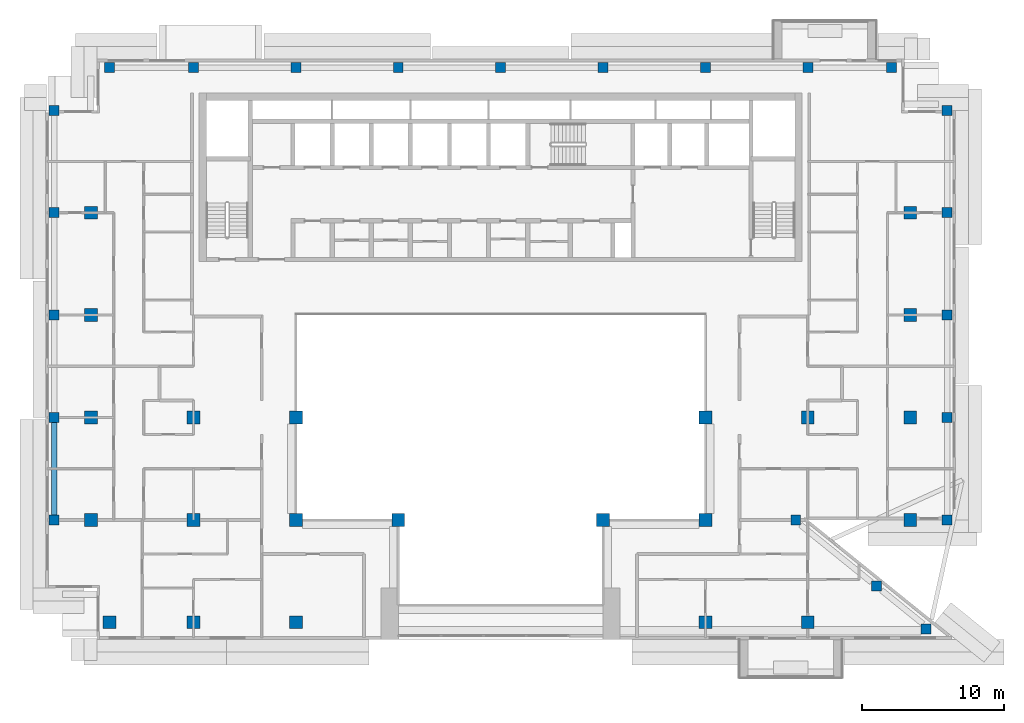
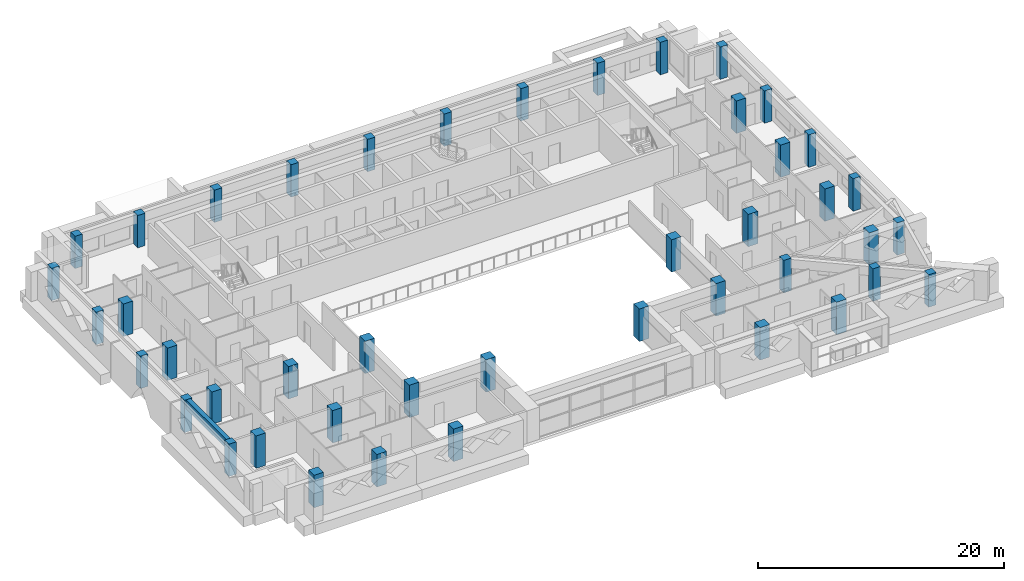
# One storey, part 1 of 19: 44 columns, 1 beam.
"""IFC4 building model written with IfcOpenShell, lengths in metres."""

from ifc_helpers import new_model, si_unit, direction, frame, origin, origin_2d, place, context, subcontext, project, spatial, rectangle, extrude, source, transform, mapped, material, material_profile, profile_set, type_object, element, save


model = new_model("IFC4")

# Units and contexts
model_context = context("Model", 3, precision=1e-05, world=origin(), true_north=direction((0.0, 1.0)))
body_context = subcontext(model_context, "Body", "Model", "MODEL_VIEW")
ifc_project = project(units=[si_unit("LENGTHUNIT", "METRE"), si_unit("AREAUNIT", "SQUARE_METRE"), si_unit("VOLUMEUNIT", "CUBIC_METRE"), si_unit("PLANEANGLEUNIT", "RADIAN"), si_unit("MASSUNIT", "GRAM", prefix="KILO")], contexts=[model_context])

# Site, building, storey
site_placement = place(None, origin())
site = spatial("IfcSite", under=ifc_project, at=site_placement, CompositionType="ELEMENT")
building_placement = place(site_placement, origin())
building = spatial("IfcBuilding", under=site, at=building_placement, Name="Saffron Iwan Residences", CompositionType="ELEMENT")
storey_placement = place(building_placement, frame((0.0, 0.0, 215.0)))
storey = spatial("IfcBuildingStorey", under=building, at=storey_placement, Name="L57", CompositionType="ELEMENT", Elevation=215.0)

# Columns
ifc_material = material(Name="Concrete C40/50", Category="concrete")
ifc_material_profile_1 = material_profile(ifc_material, rectangle(XDim=0.89990234375, YDim=0.89990234375, at=origin_2d()), Name="RC 900x900")
ifc_profile_set_1 = profile_set([ifc_material_profile_1], Name="Concrete C40/50")
column_type_1 = type_object("IfcColumnType", Name="COL RC 900x900 C40/50 3220 HIGH", PredefinedType="COLUMN", material=ifc_profile_set_1)
shared_shape_1 = source(origin(), body_context, "Body", "SweptSolid", [
    extrude(rectangle(XDim=0.89990234375, YDim=0.89990234375, at=origin_2d()), origin(), (0.0, 0.0, 1.0), 3.219970703125),
])
for number, where, z_axis, x_axis, name in (
    (1, (22.89990234375, 40.800048828125, 0.0), (0.0, 0.0, 1.0), (1.0, 0.0, 0.0), "Column C050"),
    (2, (28.800048828125, 40.800048828125, 0.0), (0.0, 0.0, 1.0), (1.0, 0.0, 0.0), "Column C051"),
    (3, (36.0, 40.800048828125, 0.0), (0.0, 0.0, 1.0), (1.0, 0.0, 0.0), "Column C052"),
    (4, (64.800048828125, 40.800048828125, 0.0), (0.0, 0.0, 1.0), (1.0, 0.0, 0.0), "Column C055"),
    (5, (72.0, 40.800048828125, 0.0), (0.0, 0.0, 1.0), (1.0, 0.0, 0.0), "Column C056"),
    (6, (21.60009765625, 48.0, 0.0), (0.0, 0.0, 1.0), (1.0, 0.0, 0.0), "Column C063"),
    (7, (28.800048828125, 48.0, 0.0), (0.0, 0.0, 1.0), (1.0, 0.0, 0.0), "Column C064"),
    (8, (36.0, 48.0, 0.0), (0.0, 0.0, 1.0), (1.0, 0.0, 0.0), "Column C065"),
    (9, (43.199951171875, 48.0, 0.0), (0.0, 0.0, 1.0), (1.0, 0.0, 0.0), "Column C066"),
    (10, (57.60009765625, 48.0, 0.0), (0.0, 0.0, 1.0), (1.0, 0.0, 0.0), "Column C068"),
    (11, (64.800048828125, 48.0, 0.0), (0.0, 0.0, 1.0), (1.0, 0.0, 0.0), "Column C069"),
    (12, (79.199951171875, 48.0, 0.0), (0.0, 0.0, 1.0), (1.0, 0.0, 0.0), "Column C072"),
    (13, (21.60009765625, 55.199951171875, 0.0), (0.0, 0.0, 1.0), (1.0, 0.0, 0.0), "Column C079"),
    (14, (28.800048828125, 55.199951171875, 0.0), (0.0, 0.0, 1.0), (1.0, 0.0, 0.0), "Column C080"),
    (15, (36.0, 55.199951171875, 0.0), (0.0, 0.0, 1.0), (1.0, 0.0, 0.0), "Column C081"),
    (16, (64.800048828125, 55.199951171875, 0.0), (0.0, 0.0, 1.0), (1.0, 0.0, 0.0), "Column C082"),
    (17, (72.0, 55.199951171875, 0.0), (0.0, 0.0, 1.0), (1.0, 0.0, 0.0), "Column C083"),
    (18, (79.199951171875, 55.199951171875, 0.0), (0.0, 0.0, 1.0), (1.0, 0.0, 0.0), "Column C084"),
    (19, (21.60009765625, 62.39990234375, 0.0), (0.0, 0.0, 1.0), (1.0, 0.0, 0.0), "Column C091"),
    (20, (79.199951171875, 62.39990234375, 0.0), (0.0, 0.0, 1.0), (1.0, 0.0, 0.0), "Column C092"),
    (21, (21.60009765625, 69.60009765625, 0.0), (0.0, 0.0, 1.0), (1.0, 0.0, 0.0), "Column C099"),
    (22, (79.199951171875, 69.60009765625, 0.0), (0.0, 0.0, 1.0), (1.0, 0.0, 0.0), "Column C100"),
):
    element("IfcColumn", number, at=place(storey_placement, frame(where, z_axis=z_axis, x_axis=x_axis)), inside=storey, type_object=column_type_1, Name=name, PredefinedType="COLUMN", context=body_context, shape_type="MappedRepresentation", body=[
        mapped(shared_shape_1, transform((0.0, 0.0, 0.0))),
    ])
ifc_material_profile_2 = material_profile(ifc_material, rectangle(XDim=0.699951171875, YDim=0.699951171875, at=origin_2d()), Name="RC 700x700")
ifc_profile_set_2 = profile_set([ifc_material_profile_2], Name="Concrete C40/50")
column_type_2 = type_object("IfcColumnType", Name="COL RC 700x700 C40/50 3220 HIGH", PredefinedType="COLUMN", material=ifc_profile_set_2)
shared_shape_2 = source(origin(), body_context, "Body", "SweptSolid", [
    extrude(rectangle(XDim=0.699951171875, YDim=0.699951171875, at=origin_2d()), origin(), (0.0, 0.0, 1.0), 3.219970703125),
])
for number, where, z_axis, x_axis, name in (
    (23, (80.32568359375, 40.3330078125, 0.0), (0.0, 0.0, 1.0), (1.0, 0.0, 0.0), "Column C046"),
    (24, (76.822998046875, 43.333251953125, 0.0), (0.0, 0.0, 1.0), (1.0, 0.0, 0.0), "Column C057"),
    (25, (19.0, 48.0, 0.0), (0.0, 0.0, 1.0), (1.0, 0.0, 0.0), "Column C062"),
    (26, (71.14990234375, 48.0, 0.0), (0.0, 0.0, 1.0), (1.0, 0.0, 0.0), "Column C070"),
    (27, (81.800048828125, 48.0, 0.0), (0.0, 0.0, 1.0), (1.0, 0.0, 0.0), "Column C073"),
    (28, (19.0, 55.199951171875, 0.0), (0.0, 0.0, 1.0), (1.0, 0.0, 0.0), "Column C078"),
    (29, (81.800048828125, 55.199951171875, 0.0), (0.0, 0.0, 1.0), (1.0, 0.0, 0.0), "Column C085"),
    (30, (19.0, 62.39990234375, 0.0), (0.0, 0.0, 1.0), (1.0, 0.0, 0.0), "Column C090"),
    (31, (81.800048828125, 62.39990234375, 0.0), (0.0, 0.0, 1.0), (1.0, 0.0, 0.0), "Column C093"),
    (32, (19.0, 69.60009765625, 0.0), (0.0, 0.0, 1.0), (1.0, 0.0, 0.0), "Column C098"),
    (33, (81.800048828125, 69.60009765625, 0.0), (0.0, 0.0, 1.0), (1.0, 0.0, 0.0), "Column C101"),
    (34, (19.0, 76.800048828125, 0.0), (0.0, 0.0, 1.0), (1.0, 0.0, 0.0), "Column C106"),
    (35, (81.800048828125, 76.800048828125, 0.0), (0.0, 0.0, 1.0), (1.0, 0.0, 0.0), "Column C109"),
    (36, (22.89990234375, 79.800048828125, 0.0), (0.0, 0.0, 1.0), (1.0, 0.0, 0.0), "Column C114"),
    (37, (28.800048828125, 79.800048828125, 0.0), (0.0, 0.0, 1.0), (1.0, 0.0, 0.0), "Column C115"),
    (38, (36.0, 79.800048828125, 0.0), (0.0, 0.0, 1.0), (1.0, 0.0, 0.0), "Column C116"),
    (39, (43.199951171875, 79.800048828125, 0.0), (0.0, 0.0, 1.0), (1.0, 0.0, 0.0), "Column C117"),
    (40, (50.39990234375, 79.800048828125, 0.0), (0.0, 0.0, 1.0), (1.0, 0.0, 0.0), "Column C118"),
    (41, (57.60009765625, 79.800048828125, 0.0), (0.0, 0.0, 1.0), (1.0, 0.0, 0.0), "Column C119"),
    (42, (64.800048828125, 79.800048828125, 0.0), (0.0, 0.0, 1.0), (1.0, 0.0, 0.0), "Column C120"),
    (43, (72.0, 79.800048828125, 0.0), (0.0, 0.0, 1.0), (1.0, 0.0, 0.0), "Column C121"),
    (44, (77.89990234375, 79.800048828125, 0.0), (0.0, 0.0, 1.0), (1.0, 0.0, 0.0), "Column C122"),
):
    element("IfcColumn", number, at=place(storey_placement, frame(where, z_axis=z_axis, x_axis=x_axis)), inside=storey, type_object=column_type_2, Name=name, PredefinedType="COLUMN", context=body_context, shape_type="MappedRepresentation", body=[
        mapped(shared_shape_2, transform((0.0, 0.0, 0.0))),
    ])

# Beam
ifc_material_profile_3 = material_profile(ifc_material, rectangle(XDim=0.39990234375, YDim=0.89990234375, at=origin_2d()), Name="RC 400x900")
ifc_profile_set_3 = profile_set([ifc_material_profile_3], Name="Concrete C40/50")
beam_type = type_object("IfcBeamType", Name="SPANDREL BEAM RC 400x900 C40/50 TOP 3220", PredefinedType="SPANDREL", material=ifc_profile_set_3)
shared_shape_3 = source(origin(), body_context, "Body", "SweptSolid", [
    extrude(rectangle(XDim=0.39990234375, YDim=0.89990234375, at=origin_2d()), origin(), (0.0, 0.0, 1.0), 6.5),
])
beam_placement = place(storey_placement, frame((19.0, 48.35009765625, 2.77001953125), z_axis=(0.0, 1.0, 0.0), x_axis=(-1.0, 0.0, 0.0)))
element("IfcBeam", 45, at=beam_placement, inside=storey, type_object=beam_type, Name="Spandrel beam", PredefinedType="SPANDREL", context=body_context, shape_type="MappedRepresentation", body=[
    mapped(shared_shape_3, transform((0.0, 0.0, 0.0))),
])

save(model, "model.ifc")
